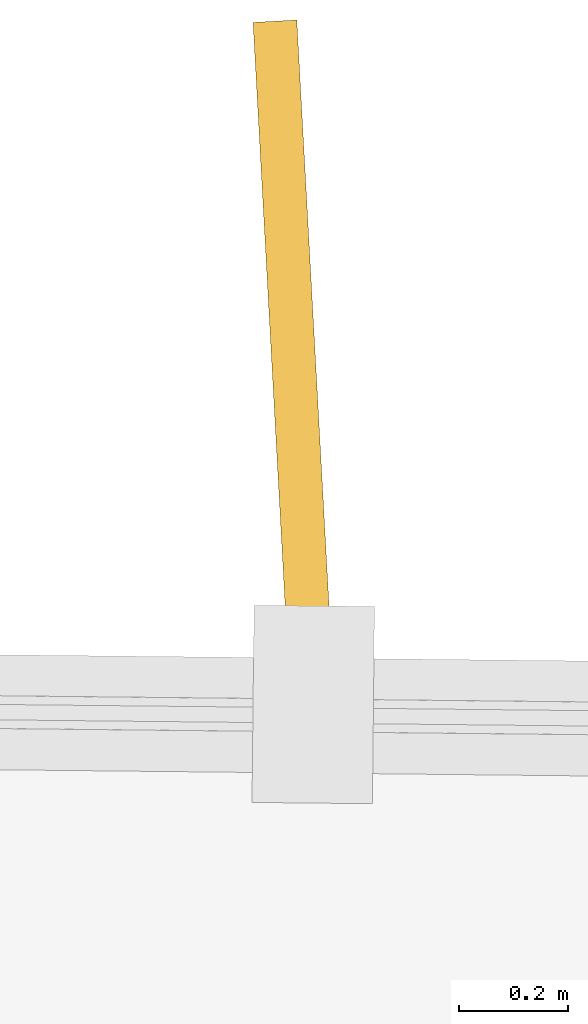
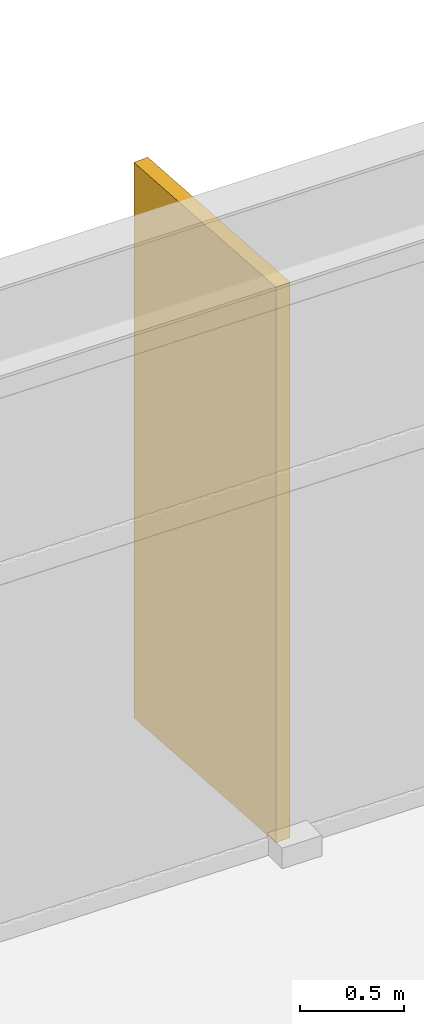
# One storey, part 19 of 19: 1 shading device.
"""IFC4 building model written with IfcOpenShell, lengths in metres."""

from ifc_helpers import new_model, si_unit, direction, frame, origin, origin_2d, place, context, subcontext, project, spatial, rectangle, extrude, material, layer, layer_set, type_object, element, save


model = new_model("IFC4")

# Units and contexts
model_context = context("Model", 3, precision=1e-05, world=origin(), true_north=direction((0.0, 1.0)))
body_context = subcontext(model_context, "Body", "Model", "MODEL_VIEW")
ifc_project = project(units=[si_unit("LENGTHUNIT", "METRE"), si_unit("AREAUNIT", "SQUARE_METRE"), si_unit("VOLUMEUNIT", "CUBIC_METRE"), si_unit("PLANEANGLEUNIT", "RADIAN"), si_unit("MASSUNIT", "GRAM", prefix="KILO")], contexts=[model_context])

# Site, building, storey
site_placement = place(None, origin())
site = spatial("IfcSite", under=ifc_project, at=site_placement, CompositionType="ELEMENT")
building_placement = place(site_placement, origin())
building = spatial("IfcBuilding", under=site, at=building_placement, Name="Soratama Intermodal Tower", CompositionType="ELEMENT")
storey_placement = place(building_placement, frame((0.0, 0.0, 297.25)))
storey = spatial("IfcBuildingStorey", under=building, at=storey_placement, Name="L75", CompositionType="ELEMENT", Elevation=297.25)

# Shading device
ifc_material = material(Name="Champagne anodised aluminium solar fin", Category="aluminium")
ifc_layer = layer(ifc_material, 0.080078125)
ifc_layer_set = layer_set([ifc_layer], Name="Champagne anodised aluminium solar fin")
shading_device_type = type_object("IfcShadingDeviceType", Name="SH-FIN-1250", PredefinedType="USERDEFINED", material=ifc_layer_set)
shading_device_placement = place(storey_placement, frame((42.23486328125, 41.90625, 0.02001953125), z_axis=(0.0, 0.0, 1.0), x_axis=(-0.054950179912, 0.998489097451, 0.0)))
element("IfcShadingDevice", 1, at=shading_device_placement, inside=storey, type_object=shading_device_type, Name="L75 Solar Fin F01-1", ObjectType="FIN", PredefinedType="USERDEFINED", context=body_context, shape_type="SweptSolid", body=[
    extrude(rectangle(XDim=1.25, YDim=0.080078125, at=origin_2d()), origin(), (0.0, 0.0, 1.0), 3.25390625),
])

save(model, "model.ifc")
